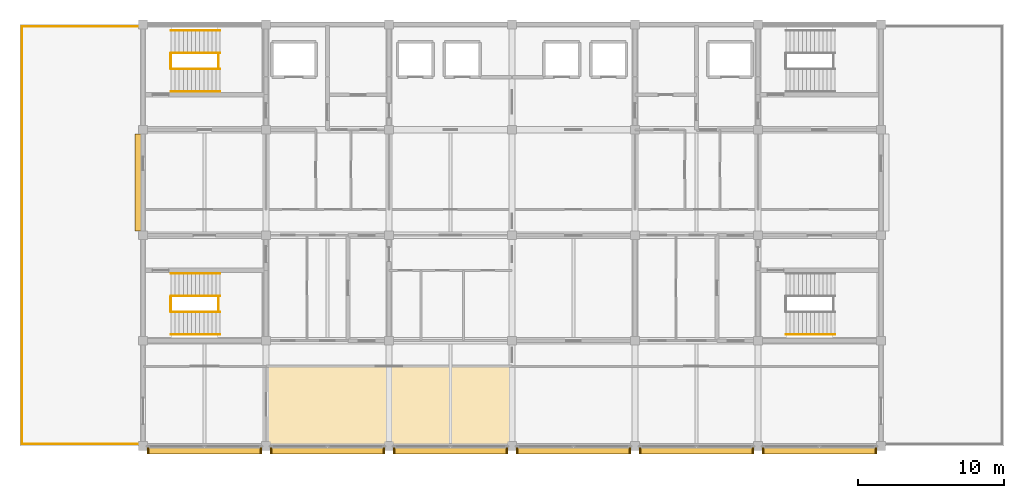
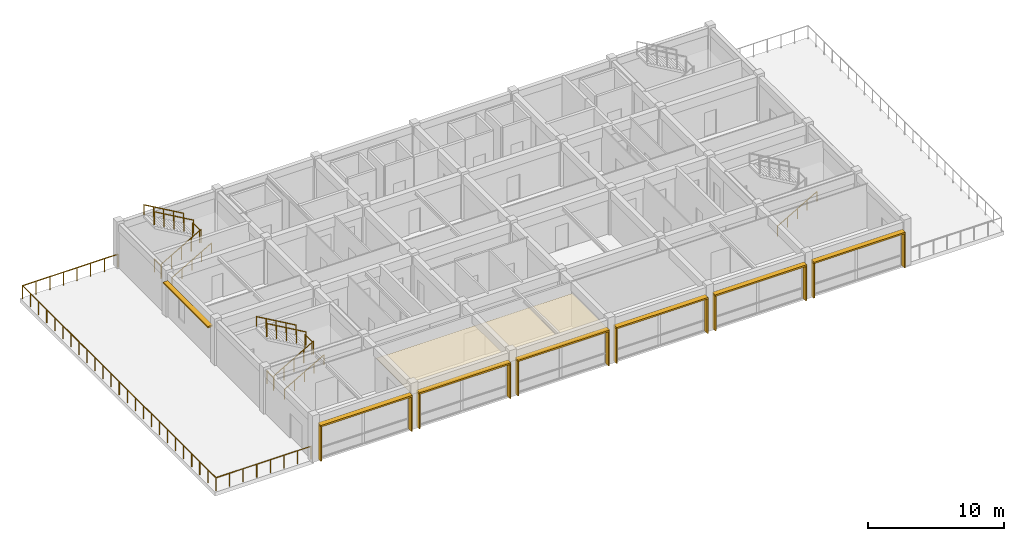
# One storey, part 12 of 13: 19 shading devices, 16 railings, 1 covering.
"""IFC4 building model written with IfcOpenShell, lengths in metres."""

from ifc_helpers import new_model, si_unit, direction, frame, origin, origin_2d, place, context, subcontext, project, spatial, polyline, rectangle, circle, outline, extrude, material, layer, layer_set, type_object, element, save


model = new_model("IFC4")

# Units and contexts
model_context = context("Model", 3, precision=1e-05, world=origin(), true_north=direction((0.0, 1.0)))
body_context = subcontext(model_context, "Body", "Model", "MODEL_VIEW")
ifc_project = project(units=[si_unit("LENGTHUNIT", "METRE"), si_unit("AREAUNIT", "SQUARE_METRE"), si_unit("VOLUMEUNIT", "CUBIC_METRE"), si_unit("PLANEANGLEUNIT", "RADIAN"), si_unit("MASSUNIT", "GRAM", prefix="KILO")], contexts=[model_context])

# Site, building, storey
site_placement = place(None, origin())
site = spatial("IfcSite", under=ifc_project, at=site_placement, CompositionType="ELEMENT")
building_placement = place(site_placement, origin())
building = spatial("IfcBuilding", under=site, at=building_placement, Name="Chengyuan Square Courthouse", CompositionType="ELEMENT")
storey_placement = place(building_placement, frame((0.0, 0.0, 60.300048828125)))
storey = spatial("IfcBuildingStorey", under=building, at=storey_placement, Name="L14", CompositionType="ELEMENT", Elevation=60.300048828125)

# Covering
ifc_material_1 = material(Name="Perforated Larch Glulam Acoustic Slat Ceiling", Category="wood")
ifc_layer = layer(ifc_material_1, 0.044921875)
ifc_layer_set = layer_set([ifc_layer], Name="Perforated Larch Glulam Acoustic Slat Ceiling")
covering_type = type_object("IfcCoveringType", Name="CLG-01", PredefinedType="CEILING", material=ifc_layer_set)
covering_placement = place(storey_placement, frame((0.0, 0.0, 2.85986328125)))
element("IfcCovering", 1, at=covering_placement, inside=storey, type_object=covering_type, Name="Acoustic Timber Slat Ceiling CLG-L14-LCH-01", PredefinedType="CEILING", context=body_context, shape_type="SweptSolid", body=[
    extrude(outline(polyline([(67.25, 79.25), (83.949951171875, 79.25), (83.949951171875, 84.60009765625), (67.25, 84.60009765625), (67.25, 79.25)])), origin(), (0.0, 0.0, 1.0), 0.045166015625),
])

# Railings
ifc_material_2 = material(Name="Stainless Steel S30408 and Laminated Glass Balustrade", Category="steel")
railing_type_1 = type_object("IfcRailingType", Name="RL-01", PredefinedType="BALUSTRADE", material=ifc_material_2)
railing_1_placement = place(storey_placement, frame((50.5400390625, 79.340087890625, 0.0)))
element("IfcRailing", 2, at=railing_1_placement, inside=storey, type_object=railing_type_1, Name="Terrace Safety Balustrade RL-TER-019", PredefinedType="BALUSTRADE", context=body_context, shape_type="SweptSolid", body=[
    extrude(circle(Radius=0.02392578125, at=origin_2d()), frame((0.0, 0.0, 1.17578125), z_axis=(0.0, 1.0, 0.0), x_axis=(-1.0, 0.0, 0.0)), (0.0, 0.0, 1.0), 28.52001953125),
    extrude(circle(Radius=0.02099609375, at=origin_2d()), origin(), (0.0, 0.0, 1.0), 1.15185546875),
    extrude(circle(Radius=0.02099609375, at=origin_2d()), frame((0.0, 1.188232421875, 0.0)), (0.0, 0.0, 1.0), 1.15185546875),
    extrude(circle(Radius=0.02099609375, at=origin_2d()), frame((0.0, 2.376708984375, 0.0)), (0.0, 0.0, 1.0), 1.15185546875),
    extrude(circle(Radius=0.02099609375, at=origin_2d()), frame((0.0, 3.56494140625, 0.0)), (0.0, 0.0, 1.0), 1.15185546875),
    extrude(circle(Radius=0.02099609375, at=origin_2d()), frame((0.0, 4.75341796875, 0.0)), (0.0, 0.0, 1.0), 1.15185546875),
    extrude(circle(Radius=0.02099609375, at=origin_2d()), frame((0.0, 5.941650390625, 0.0)), (0.0, 0.0, 1.0), 1.15185546875),
    extrude(circle(Radius=0.02099609375, at=origin_2d()), frame((0.0, 7.1298828125, 0.0)), (0.0, 0.0, 1.0), 1.15185546875),
    extrude(circle(Radius=0.02099609375, at=origin_2d()), frame((0.0, 8.318359375, 0.0)), (0.0, 0.0, 1.0), 1.15185546875),
    extrude(circle(Radius=0.02099609375, at=origin_2d()), frame((0.0, 9.506591796875, 0.0)), (0.0, 0.0, 1.0), 1.15185546875),
    extrude(circle(Radius=0.02099609375, at=origin_2d()), frame((0.0, 10.695068359375, 0.0)), (0.0, 0.0, 1.0), 1.15185546875),
    extrude(circle(Radius=0.02099609375, at=origin_2d()), frame((0.0, 11.88330078125, 0.0)), (0.0, 0.0, 1.0), 1.15185546875),
    extrude(circle(Radius=0.02099609375, at=origin_2d()), frame((0.0, 13.07177734375, 0.0)), (0.0, 0.0, 1.0), 1.15185546875),
    extrude(circle(Radius=0.02099609375, at=origin_2d()), frame((0.0, 14.260009765625, 0.0)), (0.0, 0.0, 1.0), 1.15185546875),
    extrude(circle(Radius=0.02099609375, at=origin_2d()), frame((0.0, 15.4482421875, 0.0)), (0.0, 0.0, 1.0), 1.15185546875),
    extrude(circle(Radius=0.02099609375, at=origin_2d()), frame((0.0, 16.63671875, 0.0)), (0.0, 0.0, 1.0), 1.15185546875),
    extrude(circle(Radius=0.02099609375, at=origin_2d()), frame((0.0, 17.824951171875, 0.0)), (0.0, 0.0, 1.0), 1.15185546875),
    extrude(circle(Radius=0.02099609375, at=origin_2d()), frame((0.0, 19.013427734375, 0.0)), (0.0, 0.0, 1.0), 1.15185546875),
    extrude(circle(Radius=0.02099609375, at=origin_2d()), frame((0.0, 20.20166015625, 0.0)), (0.0, 0.0, 1.0), 1.15185546875),
    extrude(circle(Radius=0.02099609375, at=origin_2d()), frame((0.0, 21.39013671875, 0.0)), (0.0, 0.0, 1.0), 1.15185546875),
    extrude(circle(Radius=0.02099609375, at=origin_2d()), frame((0.0, 22.578369140625, 0.0)), (0.0, 0.0, 1.0), 1.15185546875),
    extrude(circle(Radius=0.02099609375, at=origin_2d()), frame((0.0, 23.7666015625, 0.0)), (0.0, 0.0, 1.0), 1.15185546875),
    extrude(circle(Radius=0.02099609375, at=origin_2d()), frame((0.0, 24.955078125, 0.0)), (0.0, 0.0, 1.0), 1.15185546875),
    extrude(circle(Radius=0.02099609375, at=origin_2d()), frame((0.0, 26.143310546875, 0.0)), (0.0, 0.0, 1.0), 1.15185546875),
    extrude(circle(Radius=0.02099609375, at=origin_2d()), frame((0.0, 27.331787109375, 0.0)), (0.0, 0.0, 1.0), 1.15185546875),
    extrude(circle(Radius=0.02099609375, at=origin_2d()), frame((0.0, 28.52001953125, 0.0)), (0.0, 0.0, 1.0), 1.15185546875),
])
railing_2_placement = place(storey_placement, frame((50.5400390625, 107.860107421875, 0.0)))
element("IfcRailing", 3, at=railing_2_placement, inside=storey, type_object=railing_type_1, Name="Terrace Safety Balustrade RL-TER-020", PredefinedType="BALUSTRADE", context=body_context, shape_type="SweptSolid", body=[
    extrude(circle(Radius=0.02392578125, at=origin_2d()), frame((0.0, 0.0, 1.17578125), z_axis=(1.0, 0.0, 0.0), x_axis=(0.0, 1.0, 0.0)), (0.0, 0.0, 1.0), 8.119873046875),
    extrude(circle(Radius=0.02099609375, at=origin_2d()), origin(), (0.0, 0.0, 1.0), 1.15185546875),
    extrude(circle(Radius=0.02099609375, at=origin_2d()), frame((1.159912109375, 0.0, 0.0)), (0.0, 0.0, 1.0), 1.15185546875),
    extrude(circle(Radius=0.02099609375, at=origin_2d()), frame((2.320068359375, 0.0, 0.0)), (0.0, 0.0, 1.0), 1.15185546875),
    extrude(circle(Radius=0.02099609375, at=origin_2d()), frame((3.47998046875, 0.0, 0.0)), (0.0, 0.0, 1.0), 1.15185546875),
    extrude(circle(Radius=0.02099609375, at=origin_2d()), frame((4.639892578125, 0.0, 0.0)), (0.0, 0.0, 1.0), 1.15185546875),
    extrude(circle(Radius=0.02099609375, at=origin_2d()), frame((5.7998046875, 0.0, 0.0)), (0.0, 0.0, 1.0), 1.15185546875),
    extrude(circle(Radius=0.02099609375, at=origin_2d()), frame((6.9599609375, 0.0, 0.0)), (0.0, 0.0, 1.0), 1.15185546875),
    extrude(circle(Radius=0.02099609375, at=origin_2d()), frame((8.119873046875, 0.0, 0.0)), (0.0, 0.0, 1.0), 1.15185546875),
])
railing_3_placement = place(storey_placement, frame((58.659912109375, 79.340087890625, 0.0)))
element("IfcRailing", 4, at=railing_3_placement, inside=storey, type_object=railing_type_1, Name="Terrace Safety Balustrade RL-TER-021", PredefinedType="BALUSTRADE", context=body_context, shape_type="SweptSolid", body=[
    extrude(circle(Radius=0.02392578125, at=origin_2d()), frame((0.0, 0.0, 1.17578125), z_axis=(-1.0, 0.0, 0.0), x_axis=(0.0, -1.0, 0.0)), (0.0, 0.0, 1.0), 8.119873046875),
    extrude(circle(Radius=0.02099609375, at=origin_2d()), origin(), (0.0, 0.0, 1.0), 1.15185546875),
    extrude(circle(Radius=0.02099609375, at=origin_2d()), frame((-1.159912109375, 0.0, 0.0)), (0.0, 0.0, 1.0), 1.15185546875),
    extrude(circle(Radius=0.02099609375, at=origin_2d()), frame((-2.320068359375, 0.0, 0.0)), (0.0, 0.0, 1.0), 1.15185546875),
    extrude(circle(Radius=0.02099609375, at=origin_2d()), frame((-3.47998046875, 0.0, 0.0)), (0.0, 0.0, 1.0), 1.15185546875),
    extrude(circle(Radius=0.02099609375, at=origin_2d()), frame((-4.639892578125, 0.0, 0.0)), (0.0, 0.0, 1.0), 1.15185546875),
    extrude(circle(Radius=0.02099609375, at=origin_2d()), frame((-5.7998046875, 0.0, 0.0)), (0.0, 0.0, 1.0), 1.15185546875),
    extrude(circle(Radius=0.02099609375, at=origin_2d()), frame((-6.9599609375, 0.0, 0.0)), (0.0, 0.0, 1.0), 1.15185546875),
    extrude(circle(Radius=0.02099609375, at=origin_2d()), frame((-8.119873046875, 0.0, 0.0)), (0.0, 0.0, 1.0), 1.15185546875),
])
ifc_material_3 = material(Name="Tempered Glass and Timber Top-Rail Balustrade", Category="wood")
railing_type_2 = type_object("IfcRailingType", Name="RL-02", PredefinedType="BALUSTRADE", material=ifc_material_3)
for number, where, name in (
    (5, (60.68994140625, 105.0, 0.0), "Stair Floor Slot Guard ST-1 L14"),
    (6, (63.949951171875, 105.0, 2.099853515625), "Stair Landing Guard ST-1-L14"),
):
    element("IfcRailing", number, at=place(storey_placement, frame(where)), inside=storey, type_object=railing_type_2, Name=name, PredefinedType="BALUSTRADE", context=body_context, shape_type="SweptSolid", body=[
        extrude(circle(Radius=0.02392578125, at=origin_2d()), frame((0.0, 0.0, 1.17578125), z_axis=(0.0, 1.0, 0.0), x_axis=(-1.0, 0.0, 0.0)), (0.0, 0.0, 1.0), 1.0),
        extrude(circle(Radius=0.02099609375, at=origin_2d()), origin(), (0.0, 0.0, 1.0), 1.15185546875),
        extrude(circle(Radius=0.02099609375, at=origin_2d()), frame((0.0, 1.0, 0.0)), (0.0, 0.0, 1.0), 1.15185546875),
    ])
railing_4_placement = place(storey_placement, frame((60.7099609375, 104.949951171875, 0.161376953125)))
element("IfcRailing", 7, at=railing_4_placement, inside=storey, type_object=railing_type_2, Name="Stair Flight 1 Guard ST-1-L14", PredefinedType="BALUSTRADE", context=body_context, shape_type="SweptSolid", body=[
    extrude(circle(Radius=0.02392578125, at=origin_2d()), frame((0.0, 0.0, 1.17578125), z_axis=(0.866190824863, 0.0, 0.499713372768), x_axis=(0.0, 1.0, 0.0)), (0.0, 0.0, 1.0), 3.879150390625),
    extrude(circle(Radius=0.02099609375, at=origin_2d()), origin(), (0.0, 0.0, 1.0), 1.15185546875),
    extrude(circle(Radius=0.02099609375, at=origin_2d()), frame((0.840087890625, 0.0, 0.484619140625)), (0.0, 0.0, 1.0), 1.15185546875),
    extrude(circle(Radius=0.02099609375, at=origin_2d()), frame((1.68017578125, 0.0, 0.96923828125)), (0.0, 0.0, 1.0), 1.15185546875),
    extrude(circle(Radius=0.02099609375, at=origin_2d()), frame((2.52001953125, 0.0, 1.453857421875)), (0.0, 0.0, 1.0), 1.15185546875),
    extrude(circle(Radius=0.02099609375, at=origin_2d()), frame((3.360107421875, 0.0, 1.9384765625)), (0.0, 0.0, 1.0), 1.15185546875),
])
railing_5_placement = place(storey_placement, frame((64.070068359375, 106.050048828125, 2.261474609375)))
element("IfcRailing", 8, at=railing_5_placement, inside=storey, type_object=railing_type_2, Name="Stair Flight 2 Guard ST-1-L14", PredefinedType="BALUSTRADE", context=body_context, shape_type="SweptSolid", body=[
    extrude(circle(Radius=0.02392578125, at=origin_2d()), frame((0.0, 0.0, 1.17578125), z_axis=(-0.866190824863, 0.0, 0.499713372768), x_axis=(0.0, -1.0, 0.0)), (0.0, 0.0, 1.0), 3.879150390625),
    extrude(circle(Radius=0.02099609375, at=origin_2d()), origin(), (0.0, 0.0, 1.0), 1.15185546875),
    extrude(circle(Radius=0.02099609375, at=origin_2d()), frame((-0.840087890625, 0.0, 0.484619140625)), (0.0, 0.0, 1.0), 1.15185546875),
    extrude(circle(Radius=0.02099609375, at=origin_2d()), frame((-1.68017578125, 0.0, 0.96923828125)), (0.0, 0.0, 1.0), 1.15185546875),
    extrude(circle(Radius=0.02099609375, at=origin_2d()), frame((-2.52001953125, 0.0, 1.453857421875)), (0.0, 0.0, 1.0), 1.15185546875),
    extrude(circle(Radius=0.02099609375, at=origin_2d()), frame((-3.360107421875, 0.0, 1.9384765625)), (0.0, 0.0, 1.0), 1.15185546875),
])
for number, where, name in (
    (9, (60.68994140625, 88.39990234375, 0.0), "Stair Floor Slot Guard ST-3 L14"),
    (10, (63.949951171875, 88.39990234375, 2.099853515625), "Stair Landing Guard ST-3-L14"),
):
    element("IfcRailing", number, at=place(storey_placement, frame(where)), inside=storey, type_object=railing_type_2, Name=name, PredefinedType="BALUSTRADE", context=body_context, shape_type="SweptSolid", body=[
        extrude(circle(Radius=0.02392578125, at=origin_2d()), frame((0.0, 0.0, 1.17578125), z_axis=(0.0, 1.0, 0.0), x_axis=(-1.0, 0.0, 0.0)), (0.0, 0.0, 1.0), 1.0),
        extrude(circle(Radius=0.02099609375, at=origin_2d()), origin(), (0.0, 0.0, 1.0), 1.15185546875),
        extrude(circle(Radius=0.02099609375, at=origin_2d()), frame((0.0, 1.0, 0.0)), (0.0, 0.0, 1.0), 1.15185546875),
    ])
railing_6_placement = place(storey_placement, frame((60.7099609375, 88.35009765625, 0.161376953125)))
element("IfcRailing", 11, at=railing_6_placement, inside=storey, type_object=railing_type_2, Name="Stair Flight 1 Guard ST-3-L14", PredefinedType="BALUSTRADE", context=body_context, shape_type="SweptSolid", body=[
    extrude(circle(Radius=0.02392578125, at=origin_2d()), frame((0.0, 0.0, 1.17578125), z_axis=(0.866190824863, 0.0, 0.499713372768), x_axis=(0.0, 1.0, 0.0)), (0.0, 0.0, 1.0), 3.879150390625),
    extrude(circle(Radius=0.02099609375, at=origin_2d()), origin(), (0.0, 0.0, 1.0), 1.15185546875),
    extrude(circle(Radius=0.02099609375, at=origin_2d()), frame((0.840087890625, 0.0, 0.484619140625)), (0.0, 0.0, 1.0), 1.15185546875),
    extrude(circle(Radius=0.02099609375, at=origin_2d()), frame((1.68017578125, 0.0, 0.96923828125)), (0.0, 0.0, 1.0), 1.15185546875),
    extrude(circle(Radius=0.02099609375, at=origin_2d()), frame((2.52001953125, 0.0, 1.453857421875)), (0.0, 0.0, 1.0), 1.15185546875),
    extrude(circle(Radius=0.02099609375, at=origin_2d()), frame((3.360107421875, 0.0, 1.9384765625)), (0.0, 0.0, 1.0), 1.15185546875),
])
railing_7_placement = place(storey_placement, frame((64.070068359375, 89.449951171875, 2.261474609375)))
element("IfcRailing", 12, at=railing_7_placement, inside=storey, type_object=railing_type_2, Name="Stair Flight 2 Guard ST-3-L14", PredefinedType="BALUSTRADE", context=body_context, shape_type="SweptSolid", body=[
    extrude(circle(Radius=0.02392578125, at=origin_2d()), frame((0.0, 0.0, 1.17578125), z_axis=(-0.866190824863, 0.0, 0.499713372768), x_axis=(0.0, -1.0, 0.0)), (0.0, 0.0, 1.0), 3.879150390625),
    extrude(circle(Radius=0.02099609375, at=origin_2d()), origin(), (0.0, 0.0, 1.0), 1.15185546875),
    extrude(circle(Radius=0.02099609375, at=origin_2d()), frame((-0.840087890625, 0.0, 0.484619140625)), (0.0, 0.0, 1.0), 1.15185546875),
    extrude(circle(Radius=0.02099609375, at=origin_2d()), frame((-1.68017578125, 0.0, 0.96923828125)), (0.0, 0.0, 1.0), 1.15185546875),
    extrude(circle(Radius=0.02099609375, at=origin_2d()), frame((-2.52001953125, 0.0, 1.453857421875)), (0.0, 0.0, 1.0), 1.15185546875),
    extrude(circle(Radius=0.02099609375, at=origin_2d()), frame((-3.360107421875, 0.0, 1.9384765625)), (0.0, 0.0, 1.0), 1.15185546875),
])
ifc_material_4 = material(Name="Stainless Steel S30408 Stair Handrail", Category="steel")
railing_type_3 = type_object("IfcRailingType", Name="RL-04", PredefinedType="HANDRAIL", material=ifc_material_4)
railing_8_placement = place(storey_placement, frame((60.7099609375, 103.419921875, 0.161376953125)))
element("IfcRailing", 13, at=railing_8_placement, inside=storey, type_object=railing_type_3, Name="Stair Flight 1 Handrail ST-1-L14", PredefinedType="HANDRAIL", context=body_context, shape_type="SweptSolid", body=[
    extrude(circle(Radius=0.02392578125, at=origin_2d()), frame((0.0, 0.0, 0.8759765625), z_axis=(0.866190824863, 0.0, 0.499713372768), x_axis=(0.0, 1.0, 0.0)), (0.0, 0.0, 1.0), 3.879150390625),
    extrude(circle(Radius=0.02099609375, at=origin_2d()), origin(), (0.0, 0.0, 1.0), 0.851806640625),
    extrude(circle(Radius=0.02099609375, at=origin_2d()), frame((0.840087890625, 0.0, 0.484619140625)), (0.0, 0.0, 1.0), 0.851806640625),
    extrude(circle(Radius=0.02099609375, at=origin_2d()), frame((1.68017578125, 0.0, 0.96923828125)), (0.0, 0.0, 1.0), 0.851806640625),
    extrude(circle(Radius=0.02099609375, at=origin_2d()), frame((2.52001953125, 0.0, 1.453857421875)), (0.0, 0.0, 1.0), 0.851806640625),
    extrude(circle(Radius=0.02099609375, at=origin_2d()), frame((3.360107421875, 0.0, 1.9384765625)), (0.0, 0.0, 1.0), 0.851806640625),
])
railing_9_placement = place(storey_placement, frame((64.070068359375, 107.580078125, 2.261474609375)))
element("IfcRailing", 14, at=railing_9_placement, inside=storey, type_object=railing_type_3, Name="Stair Flight 2 Handrail ST-1-L14", PredefinedType="HANDRAIL", context=body_context, shape_type="SweptSolid", body=[
    extrude(circle(Radius=0.02392578125, at=origin_2d()), frame((0.0, 0.0, 0.8759765625), z_axis=(-0.866190824863, 0.0, 0.499713372768), x_axis=(0.0, -1.0, 0.0)), (0.0, 0.0, 1.0), 3.879150390625),
    extrude(circle(Radius=0.02099609375, at=origin_2d()), origin(), (0.0, 0.0, 1.0), 0.851806640625),
    extrude(circle(Radius=0.02099609375, at=origin_2d()), frame((-0.840087890625, 0.0, 0.484619140625)), (0.0, 0.0, 1.0), 0.851806640625),
    extrude(circle(Radius=0.02099609375, at=origin_2d()), frame((-1.68017578125, 0.0, 0.96923828125)), (0.0, 0.0, 1.0), 0.851806640625),
    extrude(circle(Radius=0.02099609375, at=origin_2d()), frame((-2.52001953125, 0.0, 1.453857421875)), (0.0, 0.0, 1.0), 0.851806640625),
    extrude(circle(Radius=0.02099609375, at=origin_2d()), frame((-3.360107421875, 0.0, 1.9384765625)), (0.0, 0.0, 1.0), 0.851806640625),
])
railing_10_placement = place(storey_placement, frame((60.7099609375, 86.820068359375, 0.161376953125)))
element("IfcRailing", 15, at=railing_10_placement, inside=storey, type_object=railing_type_3, Name="Stair Flight 1 Handrail ST-3-L14", PredefinedType="HANDRAIL", context=body_context, shape_type="SweptSolid", body=[
    extrude(circle(Radius=0.02392578125, at=origin_2d()), frame((0.0, 0.0, 0.8759765625), z_axis=(0.866190824863, 0.0, 0.499713372768), x_axis=(0.0, 1.0, 0.0)), (0.0, 0.0, 1.0), 3.879150390625),
    extrude(circle(Radius=0.02099609375, at=origin_2d()), origin(), (0.0, 0.0, 1.0), 0.851806640625),
    extrude(circle(Radius=0.02099609375, at=origin_2d()), frame((0.840087890625, 0.0, 0.484619140625)), (0.0, 0.0, 1.0), 0.851806640625),
    extrude(circle(Radius=0.02099609375, at=origin_2d()), frame((1.68017578125, 0.0, 0.96923828125)), (0.0, 0.0, 1.0), 0.851806640625),
    extrude(circle(Radius=0.02099609375, at=origin_2d()), frame((2.52001953125, 0.0, 1.453857421875)), (0.0, 0.0, 1.0), 0.851806640625),
    extrude(circle(Radius=0.02099609375, at=origin_2d()), frame((3.360107421875, 0.0, 1.9384765625)), (0.0, 0.0, 1.0), 0.851806640625),
])
railing_11_placement = place(storey_placement, frame((64.070068359375, 90.97998046875, 2.261474609375)))
element("IfcRailing", 16, at=railing_11_placement, inside=storey, type_object=railing_type_3, Name="Stair Flight 2 Handrail ST-3-L14", PredefinedType="HANDRAIL", context=body_context, shape_type="SweptSolid", body=[
    extrude(circle(Radius=0.02392578125, at=origin_2d()), frame((0.0, 0.0, 0.8759765625), z_axis=(-0.866190824863, 0.0, 0.499713372768), x_axis=(0.0, -1.0, 0.0)), (0.0, 0.0, 1.0), 3.879150390625),
    extrude(circle(Radius=0.02099609375, at=origin_2d()), origin(), (0.0, 0.0, 1.0), 0.851806640625),
    extrude(circle(Radius=0.02099609375, at=origin_2d()), frame((-0.840087890625, 0.0, 0.484619140625)), (0.0, 0.0, 1.0), 0.851806640625),
    extrude(circle(Radius=0.02099609375, at=origin_2d()), frame((-1.68017578125, 0.0, 0.96923828125)), (0.0, 0.0, 1.0), 0.851806640625),
    extrude(circle(Radius=0.02099609375, at=origin_2d()), frame((-2.52001953125, 0.0, 1.453857421875)), (0.0, 0.0, 1.0), 0.851806640625),
    extrude(circle(Radius=0.02099609375, at=origin_2d()), frame((-3.360107421875, 0.0, 1.9384765625)), (0.0, 0.0, 1.0), 0.851806640625),
])
railing_12_placement = place(storey_placement, frame((102.7099609375, 86.820068359375, 0.161376953125)))
element("IfcRailing", 17, at=railing_12_placement, inside=storey, type_object=railing_type_3, Name="Stair Flight 1 Handrail ST-4-L14", PredefinedType="HANDRAIL", context=body_context, shape_type="SweptSolid", body=[
    extrude(circle(Radius=0.02392578125, at=origin_2d()), frame((0.0, 0.0, 0.8759765625), z_axis=(0.866190824863, 0.0, 0.499713372768), x_axis=(0.0, 1.0, 0.0)), (0.0, 0.0, 1.0), 3.879150390625),
    extrude(circle(Radius=0.02099609375, at=origin_2d()), origin(), (0.0, 0.0, 1.0), 0.851806640625),
    extrude(circle(Radius=0.02099609375, at=origin_2d()), frame((0.840087890625, 0.0, 0.484619140625)), (0.0, 0.0, 1.0), 0.851806640625),
    extrude(circle(Radius=0.02099609375, at=origin_2d()), frame((1.68017578125, 0.0, 0.96923828125)), (0.0, 0.0, 1.0), 0.851806640625),
    extrude(circle(Radius=0.02099609375, at=origin_2d()), frame((2.52001953125, 0.0, 1.453857421875)), (0.0, 0.0, 1.0), 0.851806640625),
    extrude(circle(Radius=0.02099609375, at=origin_2d()), frame((3.360107421875, 0.0, 1.9384765625)), (0.0, 0.0, 1.0), 0.851806640625),
])

# Shading devices
ifc_material_5 = material(Name="Glulam TCt28 Solar Shading Fin", Category="wood")
shading_device_type_1 = type_object("IfcShadingDeviceType", Name="SHD-01", PredefinedType="JALOUSIE", material=ifc_material_5)
for number, where, z_axis, x_axis, name in (
    (18, (59.139892578125, 78.887939453125, 0.039794921875), (0.0, 0.0, 1.0), (0.0, 1.0, 0.0), "Glulam Solar Fin SHD-L14-0913"),
    (19, (66.860107421875, 78.887939453125, 0.039794921875), (0.0, 0.0, 1.0), (0.0, 1.0, 0.0), "Glulam Solar Fin SHD-L14-0914"),
    (20, (67.5400390625, 78.887939453125, 0.039794921875), (0.0, 0.0, 1.0), (0.0, 1.0, 0.0), "Glulam Solar Fin SHD-L14-0917"),
    (21, (75.260009765625, 78.887939453125, 0.039794921875), (0.0, 0.0, 1.0), (0.0, 1.0, 0.0), "Glulam Solar Fin SHD-L14-0918"),
    (22, (75.93994140625, 78.887939453125, 0.039794921875), (0.0, 0.0, 1.0), (0.0, 1.0, 0.0), "Glulam Solar Fin SHD-L14-0920"),
    (23, (83.659912109375, 78.887939453125, 0.039794921875), (0.0, 0.0, 1.0), (0.0, 1.0, 0.0), "Glulam Solar Fin SHD-L14-0921"),
    (24, (84.340087890625, 78.887939453125, 0.039794921875), (0.0, 0.0, 1.0), (0.0, 1.0, 0.0), "Glulam Solar Fin SHD-L14-0923"),
    (25, (92.06005859375, 78.887939453125, 0.039794921875), (0.0, 0.0, 1.0), (0.0, 1.0, 0.0), "Glulam Solar Fin SHD-L14-0924"),
    (26, (92.739990234375, 78.887939453125, 0.039794921875), (0.0, 0.0, 1.0), (0.0, 1.0, 0.0), "Glulam Solar Fin SHD-L14-0926"),
    (27, (100.4599609375, 78.887939453125, 0.039794921875), (0.0, 0.0, 1.0), (0.0, 1.0, 0.0), "Glulam Solar Fin SHD-L14-0927"),
    (28, (101.139892578125, 78.887939453125, 0.039794921875), (0.0, 0.0, 1.0), (0.0, 1.0, 0.0), "Glulam Solar Fin SHD-L14-0929"),
    (29, (108.860107421875, 78.887939453125, 0.039794921875), (0.0, 0.0, 1.0), (0.0, 1.0, 0.0), "Glulam Solar Fin SHD-L14-0930"),
):
    element("IfcShadingDevice", number, at=place(storey_placement, frame(where, z_axis=z_axis, x_axis=x_axis)), inside=storey, type_object=shading_device_type_1, Name=name, PredefinedType="JALOUSIE", context=body_context, shape_type="SweptSolid", body=[
        extrude(rectangle(XDim=0.419921875, YDim=0.094970703125, at=origin_2d()), origin(), (0.0, 0.0, 1.0), 3.10009765625),
    ])
ifc_material_6 = material(Name="Glulam TCt28 Sunshade Louvre", Category="wood")
shading_device_type_2 = type_object("IfcShadingDeviceType", Name="SHD-02", PredefinedType="AWNING", material=ifc_material_6)
for number, where, z_axis, x_axis, name in (
    (30, (63.0, 78.887939453125, 3.14013671875), (0.0, 0.0, 1.0), (1.0, 0.0, 0.0), "Glulam Sunshade Louvre SHD-L14-0915"),
    (31, (71.39990234375, 78.887939453125, 3.14013671875), (0.0, 0.0, 1.0), (1.0, 0.0, 0.0), "Glulam Sunshade Louvre SHD-L14-0919"),
    (32, (79.800048828125, 78.887939453125, 3.14013671875), (0.0, 0.0, 1.0), (1.0, 0.0, 0.0), "Glulam Sunshade Louvre SHD-L14-0922"),
    (33, (88.199951171875, 78.887939453125, 3.14013671875), (0.0, 0.0, 1.0), (1.0, 0.0, 0.0), "Glulam Sunshade Louvre SHD-L14-0925"),
    (34, (96.60009765625, 78.887939453125, 3.14013671875), (0.0, 0.0, 1.0), (1.0, 0.0, 0.0), "Glulam Sunshade Louvre SHD-L14-0928"),
    (35, (105.0, 78.887939453125, 3.14013671875), (0.0, 0.0, 1.0), (1.0, 0.0, 0.0), "Glulam Sunshade Louvre SHD-L14-0931"),
):
    element("IfcShadingDevice", number, at=place(storey_placement, frame(where, z_axis=z_axis, x_axis=x_axis)), inside=storey, type_object=shading_device_type_2, Name=name, PredefinedType="AWNING", context=body_context, shape_type="SweptSolid", body=[
        extrude(rectangle(XDim=7.800048828125, YDim=0.43994140625, at=origin_2d()), origin(), (0.0, 0.0, 1.0), 0.139892578125),
    ])
ifc_material_7 = material(Name="Glulam TCt28 Facade Sunshade", Category="wood")
shading_device_type_3 = type_object("IfcShadingDeviceType", Name="SHD-03", PredefinedType="AWNING", material=ifc_material_7)
shading_device_placement = place(storey_placement, frame((58.468017578125, 97.199951171875, 3.1201171875), z_axis=(0.0, 0.0, 1.0), x_axis=(0.0, 1.0, 0.0)))
element("IfcShadingDevice", 36, at=shading_device_placement, inside=storey, type_object=shading_device_type_3, Name="Glulam Facade Sunshade SHD-L14-0916", PredefinedType="AWNING", context=body_context, shape_type="SweptSolid", body=[
    extrude(rectangle(XDim=6.610107421875, YDim=0.39990234375, at=origin_2d()), origin(), (0.0, 0.0, 1.0), 0.139892578125),
])

save(model, "model.ifc")
